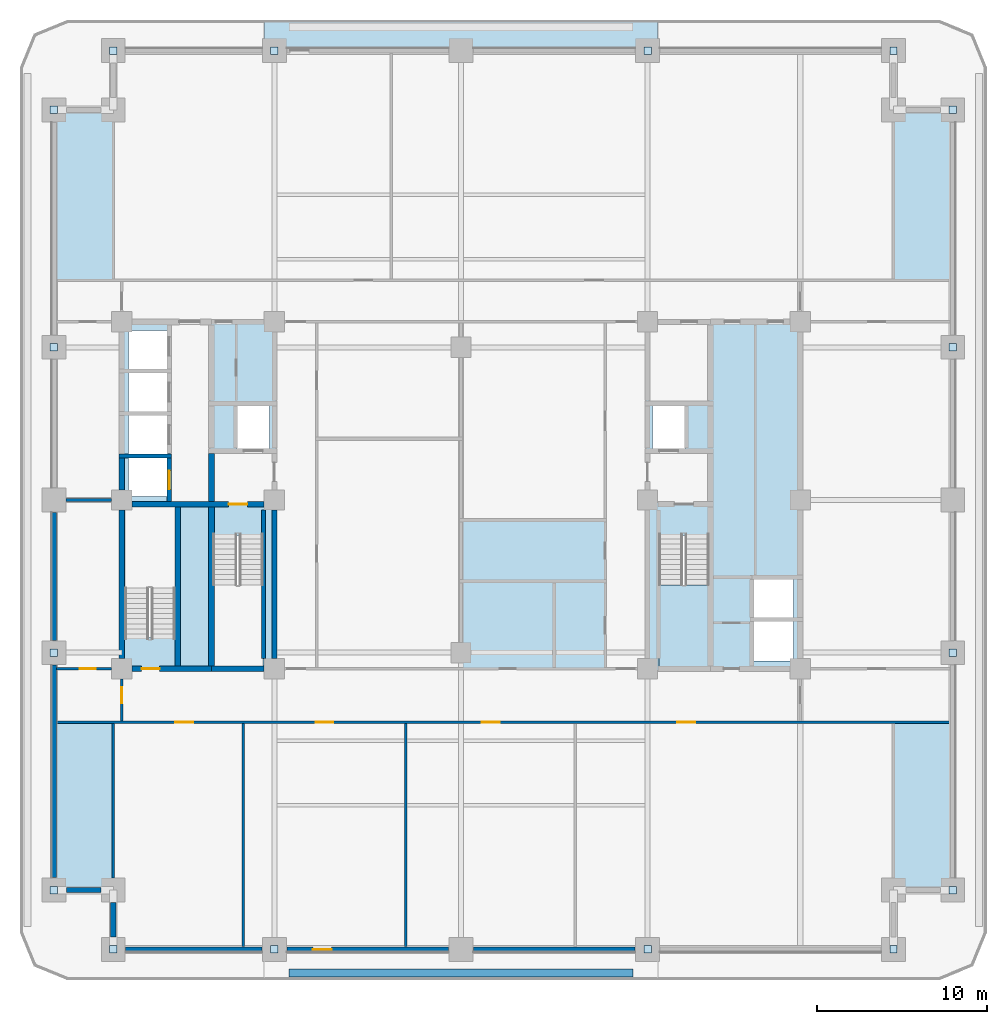
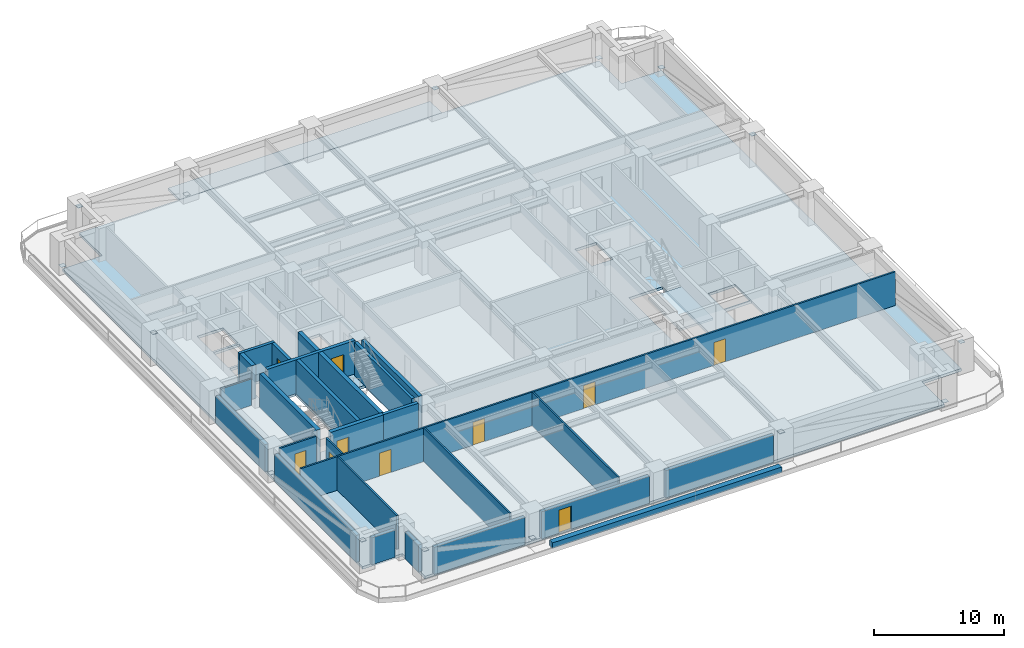
# One storey, part 2 of 12: 27 walls, 16 plates, 10 doors, 3 slabs, 10 openings, 1 element without a shape of its own.
"""IFC4 building model written with IfcOpenShell, lengths in metres."""

import ifcopenshell
import ifcopenshell.guid

model = None  # the IFC model being written
_history = None  # IfcOwnerHistory: only IFC2X3 demands one
_inside = {}  # id of a spatial element -> (the spatial element, [elements in it])
_under = {}  # id of a project, library or spatial element -> (it, [spatial elements below it])
_declared = {}  # id of a project -> (the project, [libraries it declares])
_typed = {}  # id of a type object -> (the type object, [elements of that type])
_made_of = {}  # id of a material, layer set ... -> (it, [elements and type objects made of it])


def new_model(schema):
    """Start an empty IFC model of exactly this schema.

    Asked for "IFC4X3", IfcOpenShell would pick the latest addendum, in which some entities
    have other attributes; the version numbers below select the first issue.
    IFC2X3 requires an IfcOwnerHistory on every rooted entity: one is made here for all.
    """
    global model, _history
    if schema == "IFC4X3":
        model = ifcopenshell.file(schema_version=(4, 3, 0, 0))
    else:
        model = ifcopenshell.file(schema=schema)
    _inside.clear()
    _under.clear()
    _declared.clear()
    _typed.clear()
    _made_of.clear()
    _history = None
    if model.schema == "IFC2X3":
        org = make("IfcOrganization", Name="unknown")
        user = make(
            "IfcPersonAndOrganization",
            ThePerson=make("IfcPerson", FamilyName="unknown"),
            TheOrganization=org,
        )
        app = make(
            "IfcApplication",
            ApplicationDeveloper=org,
            Version="unknown",
            ApplicationFullName="unknown",
            ApplicationIdentifier="unknown",
        )
        _history = make(
            "IfcOwnerHistory",
            OwningUser=user,
            OwningApplication=app,
            ChangeAction="ADDED",
            CreationDate=0,
        )
    return model


def make(cls, **values):
    """One entity of the class cls with the attributes given. An attribute that is None is left unset."""
    return model.create_entity(
        cls, **{name: value for name, value in values.items() if value is not None}
    )


def rooted(cls, **values):
    """An entity with a GlobalId (a new one), such as an element, a storey or a relation."""
    return make(cls, GlobalId=ifcopenshell.guid.new(), OwnerHistory=_history, **values)


def si_unit(unit_type, name, prefix=None):
    """IfcSIUnit, for example si_unit("LENGTHUNIT", "METRE", prefix="MILLI")."""
    return make("IfcSIUnit", UnitType=unit_type, Prefix=prefix, Name=name)


def assignment(units):
    """IfcUnitAssignment: the units of a project."""
    return None if units is None else make("IfcUnitAssignment", Units=units)


def point(xyz):
    """IfcCartesianPoint."""
    return None if xyz is None else make("IfcCartesianPoint", Coordinates=xyz)


def direction(xyz):
    """IfcDirection."""
    return None if xyz is None else make("IfcDirection", DirectionRatios=xyz)


def frame(location, z_axis=None, x_axis=None):
    """IfcAxis2Placement3D, a coordinate frame: its origin and axes. An axis left out is left unset."""
    return make(
        "IfcAxis2Placement3D",
        Location=point(location),
        Axis=direction(z_axis),
        RefDirection=direction(x_axis),
    )


def frame_2d(location, x_axis=None):
    """IfcAxis2Placement2D, a coordinate frame in the plane: its origin and x axis."""
    return make(
        "IfcAxis2Placement2D", Location=point(location), RefDirection=direction(x_axis)
    )


def origin():
    """The frame at (0, 0, 0) with its axes left unset."""
    return frame((0.0, 0.0, 0.0))


def origin_2d():
    """The frame at (0, 0) in the plane with its x axis left unset."""
    return frame_2d((0.0, 0.0))


def place(relative_to, where):
    """IfcLocalPlacement: puts the frame where relative to a parent placement (None: the world)."""
    return make(
        "IfcLocalPlacement", PlacementRelTo=relative_to, RelativePlacement=where
    )


def context(
    kind, dimensions, precision=None, world=None, true_north=None, identifier=None
):
    """IfcGeometricRepresentationContext, for example the 3D "Model" context."""
    return make(
        "IfcGeometricRepresentationContext",
        ContextIdentifier=identifier,
        ContextType=kind,
        CoordinateSpaceDimension=dimensions,
        Precision=precision,
        WorldCoordinateSystem=world,
        TrueNorth=true_north,
    )


def subcontext(parent, identifier, kind, view, scale=None):
    """IfcGeometricRepresentationSubContext, for example "Body" below "Model"."""
    return make(
        "IfcGeometricRepresentationSubContext",
        ContextIdentifier=identifier,
        ContextType=kind,
        ParentContext=parent,
        TargetScale=scale,
        TargetView=view,
    )


def project(units=None, contexts=None):
    """IfcProject with its units and contexts."""
    return rooted(
        "IfcProject",
        Name="project",
        RepresentationContexts=contexts,
        UnitsInContext=assignment(units),
    )


def spatial(cls, under=None, at=None, **own):
    """A site, building, storey or space (cls), placed at a placement, below another one or the project."""
    s = rooted(cls, ObjectPlacement=at, **own)
    if under is not None:
        _under.setdefault(under.id(), (under, []))[1].append(s)
    return s


def polyline(points):
    """IfcPolyline through the points."""
    return make("IfcPolyline", Points=[point(p) for p in points])


def profile(cls, at=None, kind="AREA", **sizes):
    """A parametric profile (cls). Its sizes go by their IFC names, for example OverallWidth=200.0."""
    return make(cls, ProfileType=kind, Position=at, **sizes)


def rectangle(**sizes):
    """IfcRectangleProfileDef."""
    return profile("IfcRectangleProfileDef", **sizes)


def outline(outer, holes=None, kind="AREA"):
    """IfcArbitraryClosedProfileDef: a profile drawn as a closed curve; with holes, ...WithVoids."""
    if holes is None:
        return make("IfcArbitraryClosedProfileDef", ProfileType=kind, OuterCurve=outer)
    return make(
        "IfcArbitraryProfileDefWithVoids",
        ProfileType=kind,
        OuterCurve=outer,
        InnerCurves=holes,
    )


def extrude(swept, where, along, depth):
    """IfcExtrudedAreaSolid: the profile swept, set in the frame where, extruded along a direction by depth."""
    return make(
        "IfcExtrudedAreaSolid",
        SweptArea=swept,
        Position=where,
        ExtrudedDirection=direction(along),
        Depth=depth,
    )


def shape(context_of_items, identifier, shape_type, items):
    """IfcShapeRepresentation: the items that make up one representation, for example the "Body"."""
    return make(
        "IfcShapeRepresentation",
        ContextOfItems=context_of_items,
        RepresentationIdentifier=identifier,
        RepresentationType=shape_type,
        Items=items,
    )


def material(Name=None, Category=None):
    """IfcMaterial."""
    return make("IfcMaterial", Name=Name, Category=Category)


def layer(
    of_material, thickness, ventilated=None, Name=None, Category=None, Priority=None
):
    """IfcMaterialLayer: one layer of a wall or slab, of a material (None: an air gap)."""
    return make(
        "IfcMaterialLayer",
        Material=of_material,
        LayerThickness=thickness,
        IsVentilated=ventilated,
        Name=Name,
        Category=Category,
        Priority=Priority,
    )


def layer_set(layers, Name=None):
    """IfcMaterialLayerSet."""
    return make("IfcMaterialLayerSet", MaterialLayers=layers, LayerSetName=Name)


def made_of(thing, what):
    """Note that an element or type object is made of a material, layer set ...; save() writes the relation."""
    if what is not None:
        _made_of.setdefault(what.id(), (what, []))[1].append(thing)
    return thing


def type_object(cls, material=None, **own):
    """A type object (cls), such as IfcWallType, which elements share."""
    return made_of(rooted(cls, **own), material)


def element(
    cls,
    number,
    at=None,
    inside=None,
    cuts=None,
    type_object=None,
    material=None,
    context=None,
    identifier="Body",
    shape_type=None,
    held_by="IfcProductDefinitionShape",
    body=None,
    shapes=None,
    **own,
):
    """One element of the class cls, such as IfcWall. Its Tag is "e" and its number.

    at: its placement. inside: the storey or other place that contains it. cuts: it is an
    opening in that element (IfcRelVoidsElement). A single representation is given by context,
    identifier, shape_type and body (its items); several are given by shapes. held_by: the class
    of the entity that holds the representations. save() writes the other relations.
    """
    e = rooted(cls, Tag="e%d" % number, ObjectPlacement=at, **own)
    if body is not None:
        shapes = [shape(context, identifier, shape_type, body)]
    if shapes is not None:
        e.Representation = make(held_by, Representations=shapes)
    if inside is not None:
        _inside.setdefault(inside.id(), (inside, []))[1].append(e)
    if cuts is not None:
        rooted(
            "IfcRelVoidsElement", RelatingBuildingElement=cuts, RelatedOpeningElement=e
        )
    if type_object is not None:
        _typed.setdefault(type_object.id(), (type_object, []))[1].append(e)
    return made_of(e, material)


def fill(opening, filler):
    """IfcRelFillsElement: the door or window that sits in an opening."""
    return rooted(
        "IfcRelFillsElement",
        RelatingOpeningElement=opening,
        RelatedBuildingElement=filler,
    )


def aggregate(whole, parts):
    """IfcRelAggregates: a whole, such as a stair, and the parts it consists of."""
    return rooted("IfcRelAggregates", RelatingObject=whole, RelatedObjects=parts)


def save(model, path):
    """Write the relations noted so far, then the file.

    IfcRelAggregates (storeys below a building ...), IfcRelContainedInSpatialStructure (elements
    in a storey), IfcRelDefinesByType, IfcRelAssociatesMaterial and IfcRelDeclares: one each for
    every whole, place, type object, material and project.
    """
    for whole, parts in _under.values():
        aggregate(whole, parts)
    for where, things in _inside.values():
        rooted(
            "IfcRelContainedInSpatialStructure",
            RelatedElements=things,
            RelatingStructure=where,
        )
    for kind, things in _typed.values():
        rooted("IfcRelDefinesByType", RelatedObjects=things, RelatingType=kind)
    for what, things in _made_of.values():
        rooted("IfcRelAssociatesMaterial", RelatedObjects=things, RelatingMaterial=what)
    for by, libraries in _declared.values():
        rooted("IfcRelDeclares", RelatingContext=by, RelatedDefinitions=libraries)
    model.write(path)


model = new_model("IFC4")

# Units and contexts
model_context = context("Model", 3, precision=1e-05, world=origin(), true_north=direction((0.0, 1.0)))
body_context = subcontext(model_context, "Body", "Model", "MODEL_VIEW")
ifc_project = project(units=[si_unit("LENGTHUNIT", "METRE"), si_unit("AREAUNIT", "SQUARE_METRE"), si_unit("VOLUMEUNIT", "CUBIC_METRE"), si_unit("PLANEANGLEUNIT", "RADIAN"), si_unit("MASSUNIT", "GRAM", prefix="KILO")], contexts=[model_context])

# Site, building, storey
site_placement = place(None, origin())
site = spatial("IfcSite", under=ifc_project, at=site_placement, CompositionType="ELEMENT")
building_placement = place(site_placement, origin())
building = spatial("IfcBuilding", under=site, at=building_placement, Name="Zulmaris Gate Convention Tower", CompositionType="ELEMENT")
storey_placement = place(building_placement, frame((0.0, 0.0, 48.6201171875)))
storey = spatial("IfcBuildingStorey", under=building, at=storey_placement, Name="L11", CompositionType="ELEMENT", Elevation=48.6201171875)

# Plates
ifc_material_1 = material(Name="Steel S460", Category="steel")
ifc_layer_1 = layer(ifc_material_1, 0.02490234375, Name="Steel S460")
ifc_layer_set_1 = layer_set([ifc_layer_1], Name="Steel S460")
plate_type = type_object("IfcPlateType", Name="NP-CAP-440", PredefinedType="USERDEFINED", material=ifc_layer_set_1)
for number, where, z_axis, x_axis, name in (
    (1, (-24.0, -9.0, 0.28759765625), (0.0, 0.0, 1.0), (1.0, 0.0, 0.0), "L11 Steel Node Plate PBR-L11-SW-W-CAP"),
    (2, (-24.0, -23.0, 2.512451171875), (0.0, 0.0, 1.0), (1.0, 0.0, 0.0), "L11 Steel Node Plate PBR-L11-SW-W-CAPB"),
    (3, (-24.0, 23.0, 0.28759765625), (0.0, 0.0, 1.0), (1.0, 0.0, 0.0), "L11 Steel Node Plate PBR-L11-NW-W-CAP"),
    (4, (-24.0, 9.0, 2.512451171875), (0.0, 0.0, 1.0), (1.0, 0.0, 0.0), "L11 Steel Node Plate PBR-L11-NW-W-CAPB"),
    (5, (29.0, -9.0, 0.28759765625), (0.0, 0.0, 1.0), (1.0, 0.0, 0.0), "L11 Steel Node Plate PBR-L11-SE-E-CAP"),
    (6, (29.0, -23.0, 2.512451171875), (0.0, 0.0, 1.0), (1.0, 0.0, 0.0), "L11 Steel Node Plate PBR-L11-SE-E-CAPB"),
    (7, (29.0, 23.0, 0.28759765625), (0.0, 0.0, 1.0), (1.0, 0.0, 0.0), "L11 Steel Node Plate PBR-L11-NE-E-CAP"),
    (8, (29.0, 9.0, 2.512451171875), (0.0, 0.0, 1.0), (1.0, 0.0, 0.0), "L11 Steel Node Plate PBR-L11-NE-E-CAPB"),
    (9, (-11.0, -26.5, 0.28759765625), (0.0, 0.0, 1.0), (1.0, 0.0, 0.0), "L11 Steel Node Plate PBR-L11-SW-S-CAP"),
    (10, (-20.5, -26.5, 2.512451171875), (0.0, 0.0, 1.0), (1.0, 0.0, 0.0), "L11 Steel Node Plate PBR-L11-SW-S-CAPB"),
    (11, (25.5, -26.5, 0.28759765625), (0.0, 0.0, 1.0), (1.0, 0.0, 0.0), "L11 Steel Node Plate PBR-L11-SE-S-CAP"),
    (12, (11.0, -26.5, 2.512451171875), (0.0, 0.0, 1.0), (1.0, 0.0, 0.0), "L11 Steel Node Plate PBR-L11-SE-S-CAPB"),
    (13, (-11.0, 26.5, 0.28759765625), (0.0, 0.0, 1.0), (1.0, 0.0, 0.0), "L11 Steel Node Plate PBR-L11-NW-N-CAP"),
    (14, (-20.5, 26.5, 2.512451171875), (0.0, 0.0, 1.0), (1.0, 0.0, 0.0), "L11 Steel Node Plate PBR-L11-NW-N-CAPB"),
    (15, (25.5, 26.5, 0.28759765625), (0.0, 0.0, 1.0), (1.0, 0.0, 0.0), "L11 Steel Node Plate PBR-L11-NE-N-CAP"),
    (16, (11.0, 26.5, 2.512451171875), (0.0, 0.0, 1.0), (1.0, 0.0, 0.0), "L11 Steel Node Plate PBR-L11-NE-N-CAPB"),
):
    element("IfcPlate", number, at=place(storey_placement, frame(where, z_axis=z_axis, x_axis=x_axis)), inside=storey, type_object=plate_type, Name=name, ObjectType="FLANGE PLATE", PredefinedType="USERDEFINED", context=body_context, shape_type="SweptSolid", body=[
        extrude(rectangle(XDim=0.43994140625, YDim=0.43994140625, at=origin_2d()), origin(), (0.0, 0.0, 1.0), 0.02490234375),
    ])

# Slabs
ifc_material_2 = material(Name="Precast concrete C50/60", Category="concrete")
ifc_layer_2 = layer(ifc_material_2, 0.239990234375, Name="Precast concrete C50/60")
ifc_layer_set_2 = layer_set([ifc_layer_2], Name="Precast concrete C50/60")
slab_type_1 = type_object("IfcSlabType", Name="SL-BAL-240", PredefinedType="FLOOR", material=ifc_layer_set_2)
slab_1_placement = place(storey_placement, frame((0.0, 0.0, -0.25)))
element("IfcSlab", 17, at=slab_1_placement, inside=storey, type_object=slab_type_1, Name="L11 North Tree-Balcony Planter Slab", PredefinedType="FLOOR", context=body_context, shape_type="SweptSolid", body=[
    extrude(outline(polyline([(11.597900390625, 28.300048828125), (11.597900390625, 26.5), (-11.597900390625, 26.5), (-11.597900390625, 28.300048828125), (11.597900390625, 28.300048828125)])), origin(), (0.0, 0.0, 1.0), 0.239990234375),
])
ifc_material_3 = material(Name="Concrete C50/60", Category="concrete")
ifc_layer_3 = layer(ifc_material_3, 0.25, Name="Concrete C50/60")
ifc_layer_set_3 = layer_set([ifc_layer_3], Name="Concrete C50/60")
slab_type_2 = type_object("IfcSlabType", Name="SL-FLR-250", PredefinedType="FLOOR", material=ifc_layer_set_3)
slab_2_placement = place(storey_placement, frame((0.0, 0.0, -0.25)))
element("IfcSlab", 18, at=slab_2_placement, inside=storey, type_object=slab_type_2, Name="L11 Shifted Notched-Square Structural Floor Slab", PredefinedType="FLOOR", context=body_context, shape_type="SweptSolid", body=[
    extrude(outline(polyline([(-20.5, -26.5), (25.5, -26.5), (25.5, -23.0), (29.0, -23.0), (29.0, 23.0), (25.5, 23.0), (25.5, 26.5), (-20.5, 26.5), (-20.5, 23.0), (-24.0, 23.0), (-24.0, -23.0), (-20.5, -23.0), (-20.5, -26.5)]), holes=[polyline([(-14.6201171875, -2.080078125), (-14.6201171875, -9.85009765625), (-11.659912109375, -9.85009765625), (-11.659912109375, -2.080078125), (-14.6201171875, -2.080078125)]), polyline([(11.659912109375, -2.080078125), (11.659912109375, -9.85009765625), (14.6201171875, -9.85009765625), (14.6201171875, -2.080078125), (11.659912109375, -2.080078125)]), polyline([(-16.860107421875, -8.1201171875), (-16.860107421875, -0.35009765625), (-19.820068359375, -0.35009765625), (-19.820068359375, -8.1201171875), (-16.860107421875, -8.1201171875)]), polyline([(-13.199951171875, 3.0), (-11.300048828125, 3.0), (-11.300048828125, 5.60009765625), (-13.199951171875, 5.60009765625), (-13.199951171875, 3.0)]), polyline([(11.300048828125, 3.0), (13.199951171875, 3.0), (13.199951171875, 5.60009765625), (11.300048828125, 5.60009765625), (11.300048828125, 3.0)]), polyline([(-19.60009765625, 0.199951171875), (-17.300048828125, 0.199951171875), (-17.300048828125, 2.5), (-19.60009765625, 2.5), (-19.60009765625, 0.199951171875)]), polyline([(-19.60009765625, 2.699951171875), (-17.300048828125, 2.699951171875), (-17.300048828125, 5.0), (-19.60009765625, 5.0), (-19.60009765625, 2.699951171875)]), polyline([(-19.60009765625, 5.199951171875), (-17.300048828125, 5.199951171875), (-17.300048828125, 7.5), (-19.60009765625, 7.5), (-19.60009765625, 5.199951171875)]), polyline([(-19.60009765625, 7.699951171875), (-17.300048828125, 7.699951171875), (-17.300048828125, 10.0), (-19.60009765625, 10.0), (-19.60009765625, 7.699951171875)]), polyline([(17.199951171875, -9.5), (19.60009765625, -9.5), (19.60009765625, -7.10009765625), (17.199951171875, -7.10009765625), (17.199951171875, -9.5)]), polyline([(17.199951171875, -7.0), (19.60009765625, -7.0), (19.60009765625, -4.60009765625), (17.199951171875, -4.60009765625), (17.199951171875, -7.0)])]), origin(), (0.0, 0.0, 1.0), 0.25),
])

# Stair, slab
ifc_material_4 = material(Name="Concrete C45/55", Category="concrete")
stair_type = type_object("IfcStairType", Name="ST-CORE-DOGLEG", PredefinedType="HALF_TURN_STAIR", material=ifc_material_4)
stair_placement = place(storey_placement, origin())
stair = element("IfcStair", 19, at=stair_placement, inside=storey, type_object=stair_type, Name="L11 Core Exit Stair ST-2", PredefinedType="HALF_TURN_STAIR")
ifc_layer_4 = layer(ifc_material_4, 0.199951171875, Name="Concrete C45/55")
ifc_layer_set_4 = layer_set([ifc_layer_4], Name="Concrete C45/55")
slab_type_3 = type_object("IfcSlabType", Name="SL-LND-200", PredefinedType="LANDING", material=ifc_layer_set_4)
slab_3_placement = place(storey_placement, frame((0.0, 0.0, 1.5849609375)))
slab_3 = element("IfcSlab", 20, at=slab_3_placement, type_object=slab_type_3, Name="ST-2 landing 1", PredefinedType="LANDING", context=body_context, shape_type="SweptSolid", body=[
    extrude(outline(polyline([(11.659912109375, -5.0), (11.659912109375, -9.85009765625), (14.6201171875, -9.85009765625), (14.6201171875, -5.0), (11.659912109375, -5.0)])), origin(), (0.0, 0.0, 1.0), 0.199951171875),
])
aggregate(stair, [slab_3])

# Wall
ifc_layer_5 = layer(ifc_material_3, 0.25, Name="Concrete C50/60")
ifc_layer_set_5 = layer_set([ifc_layer_5], Name="Concrete C50/60")
wall_type_1 = type_object("IfcWallType", Name="CORE-250", PredefinedType="SOLIDWALL", material=ifc_layer_set_5)
wall_1_placement = place(storey_placement, frame((-20.175048828125, 2.60009765625, 0.0), z_axis=(0.0, 0.0, 1.0), x_axis=(1.0, 0.0, 0.0)))
element("IfcWall", 21, at=wall_1_placement, inside=storey, type_object=wall_type_1, Name="WL-L11-009", PredefinedType="SOLIDWALL", context=body_context, shape_type="SweptSolid", body=[
    extrude(rectangle(XDim=3.10009765625, YDim=0.25, at=frame_2d((1.550048828125, 0.0))), origin(), (0.0, 0.0, 1.0), 3.144775390625),
])

# Wall, opening, door
wall_2_placement = place(storey_placement, frame((-17.199951171875, -0.097900390625, 0.0), z_axis=(0.0, 0.0, 1.0), x_axis=(0.0, 1.0, 0.0)))
wall_2 = element("IfcWall", 22, at=wall_2_placement, inside=storey, type_object=wall_type_1, Name="WL-L11-039", PredefinedType="SOLIDWALL", context=body_context, shape_type="SweptSolid", body=[
    extrude(rectangle(XDim=2.57080078125, YDim=0.25, at=frame_2d((1.285400390625, 0.0))), origin(), (0.0, 0.0, 1.0), 3.144775390625),
])
opening_1_placement = place(wall_2_placement, frame((0.722900390625, 0.0, 0.0)))
opening_1 = element("IfcOpeningElement", 23, at=opening_1_placement, cuts=wall_2, Name="Opening D-06", PredefinedType="OPENING", context=body_context, shape_type="SweptSolid", body=[
    extrude(rectangle(XDim=1.10009765625, YDim=2.199951171875, at=frame_2d((0.550048828125, 1.10009765625))), frame((0.0, 0.135009765625, 0.0), z_axis=(0.0, -1.0, 0.0), x_axis=(1.0, 0.0, 0.0)), (0.0, 0.0, 1.0), 0.27001953125),
])
ifc_material_5 = material(Name="Brushed Stainless Steel", Category="steel")
door_type_1 = type_object("IfcDoorType", Name="LD-1100", OperationType="NOTDEFINED", PredefinedType="DOOR", material=ifc_material_5)
door_1_placement = place(opening_1_placement, origin())
door_1 = element("IfcDoor", 24, at=door_1_placement, inside=storey, type_object=door_type_1, Name="L11 Lift Landing Door LP-01 12", OperationType="SLIDING_TO_LEFT", OverallHeight=2.199951171875, OverallWidth=1.10009765625, PredefinedType="DOOR", context=body_context, shape_type="SweptSolid", body=[
    extrude(rectangle(XDim=1.10009765625, YDim=2.199951171875, at=frame_2d((0.550048828125, 1.10009765625))), frame((0.0, 0.02490234375, 0.0), z_axis=(0.0, -1.0, 0.0), x_axis=(1.0, 0.0, 0.0)), (0.0, 0.0, 1.0), 0.050048828125),
])
fill(opening_1, door_1)

# Walls
wall_3_placement = place(storey_placement, frame((-11.64990234375, -9.345947265625, 0.0), z_axis=(0.0, 0.0, 1.0), x_axis=(0.0, 1.0, 0.0)))
element("IfcWall", 25, at=wall_3_placement, inside=storey, type_object=wall_type_1, Name="WL-L11-049", PredefinedType="SOLIDWALL", context=body_context, shape_type="SweptSolid", body=[
    extrude(rectangle(XDim=8.741943359375, YDim=0.25, at=frame_2d((4.37109375, 0.0))), origin(), (0.0, 0.0, 1.0), 3.144775390625),
])
ifc_layer_6 = layer(ifc_material_3, 0.300048828125, Name="Concrete C50/60")
ifc_layer_set_6 = layer_set([ifc_layer_6], Name="Concrete C50/60")
wall_type_2 = type_object("IfcWallType", Name="CORE-300", PredefinedType="SHEAR", material=ifc_layer_set_6)
wall_4_placement = place(storey_placement, frame((-14.699951171875, -9.949951171875, 0.0), z_axis=(0.0, 0.0, 1.0), x_axis=(1.0, 0.0, 0.0)))
element("IfcWall", 26, at=wall_4_placement, inside=storey, type_object=wall_type_2, Name="WL-L11-002", PredefinedType="SHEAR", context=body_context, shape_type="SweptSolid", body=[
    extrude(rectangle(XDim=3.095947265625, YDim=0.300048828125, at=frame_2d((1.5478515625, 0.0))), origin(), (0.0, 0.0, 1.0), 3.144775390625),
])

# Wall, opening, door
wall_5_placement = place(storey_placement, frame((-19.39599609375, -0.25, 0.0), z_axis=(0.0, 0.0, 1.0), x_axis=(1.0, 0.0, 0.0)))
wall_5 = element("IfcWall", 27, at=wall_5_placement, inside=storey, type_object=wall_type_2, Name="WL-L11-007", PredefinedType="SHEAR", context=body_context, shape_type="SweptSolid", body=[
    extrude(rectangle(XDim=7.7919921875, YDim=0.300048828125, at=frame_2d((3.89599609375, 0.0))), origin(), (0.0, 0.0, 1.0), 3.144775390625),
])
opening_2_placement = place(wall_5_placement, frame((5.696044921875, 0.0, 0.0)))
opening_2 = element("IfcOpeningElement", 28, at=opening_2_placement, cuts=wall_5, Name="Opening D-08", PredefinedType="OPENING", context=body_context, shape_type="SweptSolid", body=[
    extrude(rectangle(XDim=1.10009765625, YDim=2.14990234375, at=frame_2d((0.550048828125, 1.074951171875))), frame((0.0, 0.16015625, 0.0), z_axis=(0.0, -1.0, 0.0), x_axis=(1.0, 0.0, 0.0)), (0.0, 0.0, 1.0), 0.320068359375),
])
ifc_material_6 = material(Name="Fire-Rated Steel", Category="steel")
door_type_2 = type_object("IfcDoorType", Name="DR-1100-FD", OperationType="NOTDEFINED", PredefinedType="DOOR", material=ifc_material_6)
door_2_placement = place(opening_2_placement, origin())
door_2 = element("IfcDoor", 29, at=door_2_placement, inside=storey, type_object=door_type_2, Name="L11 Exit Stair ST-1 Door 01", OperationType="SINGLE_SWING_RIGHT", OverallHeight=2.14990234375, OverallWidth=1.10009765625, PredefinedType="DOOR", context=body_context, shape_type="SweptSolid", body=[
    extrude(rectangle(XDim=1.10009765625, YDim=2.14990234375, at=frame_2d((0.550048828125, 1.074951171875))), frame((0.0, 0.02490234375, 0.0), z_axis=(0.0, -1.0, 0.0), x_axis=(1.0, 0.0, 0.0)), (0.0, 0.0, 1.0), 0.050048828125),
])
fill(opening_2, door_2)

# Walls
wall_6_placement = place(storey_placement, frame((-16.699951171875, -9.77294921875, 0.0), z_axis=(0.0, 0.0, 1.0), x_axis=(0.0, 1.0, 0.0)))
element("IfcWall", 30, at=wall_6_placement, inside=storey, type_object=wall_type_2, Name="WL-L11-043", PredefinedType="SHEAR", context=body_context, shape_type="SweptSolid", body=[
    extrude(rectangle(XDim=9.370849609375, YDim=0.300048828125, at=frame_2d((4.685546875, 0.0))), origin(), (0.0, 0.0, 1.0), 3.144775390625),
])
wall_7_placement = place(storey_placement, frame((-11.0, -9.345947265625, 0.0), z_axis=(0.0, 0.0, 1.0), x_axis=(0.0, 1.0, 0.0)))
element("IfcWall", 31, at=wall_7_placement, inside=storey, type_object=wall_type_2, Name="WL-L11-050", PredefinedType="SHEAR", context=body_context, shape_type="SweptSolid", body=[
    extrude(rectangle(XDim=8.741943359375, YDim=0.300048828125, at=frame_2d((4.37109375, 0.0))), origin(), (0.0, 0.0, 1.0), 3.144775390625),
])

# Wall, opening, door
ifc_material_7 = material(Name="Concrete C55/67", Category="concrete")
ifc_layer_7 = layer(ifc_material_7, 0.35009765625, Name="Concrete C55/67")
ifc_layer_set_7 = layer_set([ifc_layer_7], Name="Concrete C55/67")
wall_type_3 = type_object("IfcWallType", Name="CORE-350", PredefinedType="SHEAR", material=ifc_layer_set_7)
wall_8_placement = place(storey_placement, frame((-19.39599609375, -9.949951171875, 0.0), z_axis=(0.0, 0.0, 1.0), x_axis=(1.0, 0.0, 0.0)))
wall_8 = element("IfcWall", 32, at=wall_8_placement, inside=storey, type_object=wall_type_3, Name="WL-L11-001", PredefinedType="SHEAR", context=body_context, shape_type="SweptSolid", body=[
    extrude(rectangle(XDim=4.696044921875, YDim=0.35009765625, at=frame_2d((2.34814453125, 0.0))), origin(), (0.0, 0.0, 1.0), 3.144775390625),
])
opening_3_placement = place(wall_8_placement, frame((0.571044921875, 0.0, 0.0)))
opening_3 = element("IfcOpeningElement", 33, at=opening_3_placement, cuts=wall_8, Name="Opening D-09", PredefinedType="OPENING", context=body_context, shape_type="SweptSolid", body=[
    extrude(rectangle(XDim=1.050048828125, YDim=2.14990234375, at=frame_2d((0.52490234375, 1.074951171875))), frame((0.0, 0.18505859375, 0.0), z_axis=(0.0, -1.0, 0.0), x_axis=(1.0, 0.0, 0.0)), (0.0, 0.0, 1.0), 0.3701171875),
])
door_type_3 = type_object("IfcDoorType", Name="DR-1050-FD", OperationType="NOTDEFINED", PredefinedType="DOOR", material=ifc_material_6)
door_3_placement = place(opening_3_placement, origin())
door_3 = element("IfcDoor", 34, at=door_3_placement, inside=storey, type_object=door_type_3, Name="L11 Exit Stair ST-3 Door 10", OperationType="SINGLE_SWING_LEFT", OverallHeight=2.14990234375, OverallWidth=1.050048828125, PredefinedType="DOOR", context=body_context, shape_type="SweptSolid", body=[
    extrude(rectangle(XDim=1.050048828125, YDim=2.14990234375, at=frame_2d((0.52490234375, 1.074951171875))), frame((0.0, 0.02490234375, 0.0), z_axis=(0.0, -1.0, 0.0), x_axis=(1.0, 0.0, 0.0)), (0.0, 0.0, 1.0), 0.050048828125),
])
fill(opening_3, door_3)

# Walls
wall_9_placement = place(storey_placement, frame((-20.0, -9.345947265625, 0.0), z_axis=(0.0, 0.0, 1.0), x_axis=(0.0, 1.0, 0.0)))
element("IfcWall", 35, at=wall_9_placement, inside=storey, type_object=wall_type_3, Name="WL-L11-034", PredefinedType="SHEAR", context=body_context, shape_type="SweptSolid", body=[
    extrude(rectangle(XDim=8.741943359375, YDim=0.35009765625, at=frame_2d((4.37109375, 0.0))), origin(), (0.0, 0.0, 1.0), 3.144775390625),
])
wall_10_placement = place(storey_placement, frame((-20.0, 0.60400390625, 0.0), z_axis=(0.0, 0.0, 1.0), x_axis=(0.0, 1.0, 0.0)))
element("IfcWall", 36, at=wall_10_placement, inside=storey, type_object=wall_type_3, Name="WL-L11-035", PredefinedType="SHEAR", context=body_context, shape_type="SweptSolid", body=[
    extrude(rectangle(XDim=1.868896484375, YDim=0.35009765625, at=frame_2d((0.9345703125, 0.0))), origin(), (0.0, 0.0, 1.0), 3.144775390625),
])
wall_11_placement = place(storey_placement, frame((-14.699951171875, -9.77294921875, 0.0), z_axis=(0.0, 0.0, 1.0), x_axis=(0.0, 1.0, 0.0)))
element("IfcWall", 37, at=wall_11_placement, inside=storey, type_object=wall_type_3, Name="WL-L11-044", PredefinedType="SHEAR", context=body_context, shape_type="SweptSolid", body=[
    extrude(rectangle(XDim=9.370849609375, YDim=0.35009765625, at=frame_2d((4.685546875, 0.0))), origin(), (0.0, 0.0, 1.0), 3.144775390625),
])
wall_12_placement = place(storey_placement, frame((-14.699951171875, -0.097900390625, 0.0), z_axis=(0.0, 0.0, 1.0), x_axis=(0.0, 1.0, 0.0)))
element("IfcWall", 38, at=wall_12_placement, inside=storey, type_object=wall_type_3, Name="WL-L11-045", PredefinedType="SHEAR", context=body_context, shape_type="SweptSolid", body=[
    extrude(rectangle(XDim=2.845947265625, YDim=0.35009765625, at=frame_2d((1.4228515625, 0.0))), origin(), (0.0, 0.0, 1.0), 3.144775390625),
])

# Wall, openings, doors
ifc_material_8 = material(Name="Gypsum Metal Stud Partition")
ifc_layer_8 = layer(ifc_material_8, 0.14990234375, Name="Gypsum Metal Stud Partition")
ifc_layer_set_8 = layer_set([ifc_layer_8], Name="Gypsum Metal Stud Partition")
wall_type_4 = type_object("IfcWallType", Name="PART-150", PredefinedType="PARTITIONING", material=ifc_layer_set_8)
wall_13_placement = place(storey_placement, frame((-23.8349609375, -13.10009765625, 0.0), z_axis=(0.0, 0.0, 1.0), x_axis=(1.0, 0.0, 0.0)))
wall_13 = element("IfcWall", 39, at=wall_13_placement, inside=storey, type_object=wall_type_4, Name="WL-L11-020", PredefinedType="PARTITIONING", context=body_context, shape_type="SweptSolid", body=[
    extrude(rectangle(XDim=52.669921875, YDim=0.14990234375, at=frame_2d((26.3349609375, 0.0))), origin(), (0.0, 0.0, 1.0), 3.144775390625),
])
opening_4_placement = place(wall_13_placement, frame((6.989990234375, 0.0, 0.0)))
opening_4 = element("IfcOpeningElement", 40, at=opening_4_placement, cuts=wall_13, Name="Opening D-09", PredefinedType="OPENING", context=body_context, shape_type="SweptSolid", body=[
    extrude(rectangle(XDim=1.050048828125, YDim=2.14990234375, at=frame_2d((0.52490234375, 1.074951171875))), frame((0.0, 0.0849609375, 0.0), z_axis=(0.0, -1.0, 0.0), x_axis=(1.0, 0.0, 0.0)), (0.0, 0.0, 1.0), 0.169921875),
])
opening_5_placement = place(wall_13_placement, frame((15.260009765625, 0.0, 0.0)))
opening_5 = element("IfcOpeningElement", 41, at=opening_5_placement, cuts=wall_13, Name="Opening D-09", PredefinedType="OPENING", context=body_context, shape_type="SweptSolid", body=[
    extrude(rectangle(XDim=1.050048828125, YDim=2.14990234375, at=frame_2d((0.52490234375, 1.074951171875))), frame((0.0, 0.0849609375, 0.0), z_axis=(0.0, -1.0, 0.0), x_axis=(1.0, 0.0, 0.0)), (0.0, 0.0, 1.0), 0.169921875),
])
opening_6_placement = place(wall_13_placement, frame((25.06005859375, 0.0, 0.0)))
opening_6 = element("IfcOpeningElement", 42, at=opening_6_placement, cuts=wall_13, Name="Opening D-09", PredefinedType="OPENING", context=body_context, shape_type="SweptSolid", body=[
    extrude(rectangle(XDim=1.050048828125, YDim=2.14990234375, at=frame_2d((0.52490234375, 1.074951171875))), frame((0.0, 0.0849609375, 0.0), z_axis=(0.0, -1.0, 0.0), x_axis=(1.0, 0.0, 0.0)), (0.0, 0.0, 1.0), 0.169921875),
])
opening_7_placement = place(wall_13_placement, frame((36.590087890625, 0.0, 0.0)))
opening_7 = element("IfcOpeningElement", 43, at=opening_7_placement, cuts=wall_13, Name="Opening D-09", PredefinedType="OPENING", context=body_context, shape_type="SweptSolid", body=[
    extrude(rectangle(XDim=1.050048828125, YDim=2.14990234375, at=frame_2d((0.52490234375, 1.074951171875))), frame((0.0, 0.0849609375, 0.0), z_axis=(0.0, -1.0, 0.0), x_axis=(1.0, 0.0, 0.0)), (0.0, 0.0, 1.0), 0.169921875),
])
door_4_placement = place(opening_4_placement, origin())
door_4 = element("IfcDoor", 44, at=door_4_placement, inside=storey, type_object=door_type_3, Name="L11 Delegate Business Lounge Door 26", OperationType="SINGLE_SWING_LEFT", OverallHeight=2.14990234375, OverallWidth=1.050048828125, PredefinedType="DOOR", context=body_context, shape_type="SweptSolid", body=[
    extrude(rectangle(XDim=1.050048828125, YDim=2.14990234375, at=frame_2d((0.52490234375, 1.074951171875))), frame((0.0, 0.02490234375, 0.0), z_axis=(0.0, -1.0, 0.0), x_axis=(1.0, 0.0, 0.0)), (0.0, 0.0, 1.0), 0.050048828125),
])
fill(opening_4, door_4)
door_5_placement = place(opening_5_placement, origin())
door_5 = element("IfcDoor", 45, at=door_5_placement, inside=storey, type_object=door_type_3, Name="L11 Commercial Advisory Office Door 27", OperationType="SINGLE_SWING_RIGHT", OverallHeight=2.14990234375, OverallWidth=1.050048828125, PredefinedType="DOOR", context=body_context, shape_type="SweptSolid", body=[
    extrude(rectangle(XDim=1.050048828125, YDim=2.14990234375, at=frame_2d((0.52490234375, 1.074951171875))), frame((0.0, 0.02490234375, 0.0), z_axis=(0.0, -1.0, 0.0), x_axis=(1.0, 0.0, 0.0)), (0.0, 0.0, 1.0), 0.050048828125),
])
fill(opening_5, door_5)
door_6_placement = place(opening_6_placement, origin())
door_6 = element("IfcDoor", 46, at=door_6_placement, inside=storey, type_object=door_type_3, Name="L11 Regional Corporate Office Door 28", OperationType="SINGLE_SWING_LEFT", OverallHeight=2.14990234375, OverallWidth=1.050048828125, PredefinedType="DOOR", context=body_context, shape_type="SweptSolid", body=[
    extrude(rectangle(XDim=1.050048828125, YDim=2.14990234375, at=frame_2d((0.52490234375, 1.074951171875))), frame((0.0, 0.02490234375, 0.0), z_axis=(0.0, -1.0, 0.0), x_axis=(1.0, 0.0, 0.0)), (0.0, 0.0, 1.0), 0.050048828125),
])
fill(opening_6, door_6)
door_7_placement = place(opening_7_placement, origin())
door_7 = element("IfcDoor", 47, at=door_7_placement, inside=storey, type_object=door_type_3, Name="L11 Client Practice Studio Door 29", OperationType="SINGLE_SWING_RIGHT", OverallHeight=2.14990234375, OverallWidth=1.050048828125, PredefinedType="DOOR", context=body_context, shape_type="SweptSolid", body=[
    extrude(rectangle(XDim=1.050048828125, YDim=2.14990234375, at=frame_2d((0.52490234375, 1.074951171875))), frame((0.0, 0.02490234375, 0.0), z_axis=(0.0, -1.0, 0.0), x_axis=(1.0, 0.0, 0.0)), (0.0, 0.0, 1.0), 0.050048828125),
])
fill(opening_7, door_7)

# Wall, opening, door
wall_14_placement = place(storey_placement, frame((-23.8349609375, -9.949951171875, 0.0), z_axis=(0.0, 0.0, 1.0), x_axis=(1.0, 0.0, 0.0)))
wall_14 = element("IfcWall", 48, at=wall_14_placement, inside=storey, type_object=wall_type_4, Name="WL-L11-021", PredefinedType="PARTITIONING", context=body_context, shape_type="SweptSolid", body=[
    extrude(rectangle(XDim=3.22900390625, YDim=0.14990234375, at=frame_2d((1.614501953125, 0.0))), origin(), (0.0, 0.0, 1.0), 3.144775390625),
])
opening_8_placement = place(wall_14_placement, frame((1.360107421875, 0.0, 0.0)))
opening_8 = element("IfcOpeningElement", 49, at=opening_8_placement, cuts=wall_14, Name="Opening D-11", PredefinedType="OPENING", context=body_context, shape_type="SweptSolid", body=[
    extrude(rectangle(XDim=0.949951171875, YDim=2.14990234375, at=frame_2d((0.47509765625, 1.074951171875))), frame((0.0, 0.0849609375, 0.0), z_axis=(0.0, -1.0, 0.0), x_axis=(1.0, 0.0, 0.0)), (0.0, 0.0, 1.0), 0.169921875),
])
ifc_material_9 = material(Name="Fire-Rated Timber", Category="wood")
door_type_4 = type_object("IfcDoorType", Name="DR-950-FD", OperationType="NOTDEFINED", PredefinedType="DOOR", material=ifc_material_9)
door_8_placement = place(opening_8_placement, origin())
door_8 = element("IfcDoor", 50, at=door_8_placement, inside=storey, type_object=door_type_4, Name="L11 SW Partner Door 39", OperationType="SINGLE_SWING_RIGHT", OverallHeight=2.14990234375, OverallWidth=0.949951171875, PredefinedType="DOOR", context=body_context, shape_type="SweptSolid", body=[
    extrude(rectangle(XDim=0.949951171875, YDim=2.14990234375, at=frame_2d((0.47509765625, 1.074951171875))), frame((0.0, 0.02490234375, 0.0), z_axis=(0.0, -1.0, 0.0), x_axis=(1.0, 0.0, 0.0)), (0.0, 0.0, 1.0), 0.050048828125),
])
fill(opening_8, door_8)

# Walls
wall_15_placement = place(storey_placement, frame((-23.2939453125, 0.0, 0.0), z_axis=(0.0, 0.0, 1.0), x_axis=(1.0, 0.0, 0.0)))
element("IfcWall", 51, at=wall_15_placement, inside=storey, type_object=wall_type_4, Name="WL-L11-028", PredefinedType="PARTITIONING", context=body_context, shape_type="SweptSolid", body=[
    extrude(rectangle(XDim=2.68798828125, YDim=0.14990234375, at=frame_2d((1.343994140625, 0.0))), origin(), (0.0, 0.0, 1.0), 2.48486328125),
])
wall_16_placement = place(storey_placement, frame((-20.5, -22.2939453125, 0.0), z_axis=(0.0, 0.0, 1.0), x_axis=(0.0, 1.0, 0.0)))
element("IfcWall", 52, at=wall_16_placement, inside=storey, type_object=wall_type_4, Name="WL-L11-069", PredefinedType="PARTITIONING", context=body_context, shape_type="SweptSolid", body=[
    extrude(rectangle(XDim=9.115966796875, YDim=0.14990234375, at=frame_2d((4.55810546875, 0.0))), origin(), (0.0, 0.0, 1.0), 3.144775390625),
])

# Wall, opening, door
wall_17_placement = place(storey_placement, frame((-20.0, -13.02197265625, 0.0), z_axis=(0.0, 0.0, 1.0), x_axis=(0.0, 1.0, 0.0)))
wall_17 = element("IfcWall", 53, at=wall_17_placement, inside=storey, type_object=wall_type_4, Name="WL-L11-071", PredefinedType="PARTITIONING", context=body_context, shape_type="SweptSolid", body=[
    extrude(rectangle(XDim=2.466064453125, YDim=0.14990234375, at=frame_2d((1.23291015625, 0.0))), origin(), (0.0, 0.0, 1.0), 3.144775390625),
])
opening_9_placement = place(wall_17_placement, frame((1.027099609375, 0.0, 0.0)))
opening_9 = element("IfcOpeningElement", 54, at=opening_9_placement, cuts=wall_17, Name="Opening D-11", PredefinedType="OPENING", context=body_context, shape_type="SweptSolid", body=[
    extrude(rectangle(XDim=0.949951171875, YDim=2.14990234375, at=frame_2d((0.47509765625, 1.074951171875))), frame((0.0, 0.0849609375, 0.0), z_axis=(0.0, -1.0, 0.0), x_axis=(1.0, 0.0, 0.0)), (0.0, 0.0, 1.0), 0.169921875),
])
door_9_placement = place(opening_9_placement, origin())
door_9 = element("IfcDoor", 55, at=door_9_placement, inside=storey, type_object=door_type_4, Name="L11 SW Spur Door 37", OperationType="SINGLE_SWING_RIGHT", OverallHeight=2.14990234375, OverallWidth=0.949951171875, PredefinedType="DOOR", context=body_context, shape_type="SweptSolid", body=[
    extrude(rectangle(XDim=0.949951171875, YDim=2.14990234375, at=frame_2d((0.47509765625, 1.074951171875))), frame((0.0, 0.02490234375, 0.0), z_axis=(0.0, -1.0, 0.0), x_axis=(1.0, 0.0, 0.0)), (0.0, 0.0, 1.0), 0.050048828125),
])
fill(opening_9, door_9)

# Walls
for number, where, z_axis, x_axis, name in (
    (56, (-12.85009765625, -26.3349609375, 0.0), (0.0, 0.0, 1.0), (0.0, 1.0, 0.0), "WL-L11-074"),
    (57, (-3.25, -26.3349609375, 0.0), (0.0, 0.0, 1.0), (0.0, 1.0, 0.0), "WL-L11-078"),
):
    element("IfcWall", number, at=place(storey_placement, frame(where, z_axis=z_axis, x_axis=x_axis)), inside=storey, type_object=wall_type_4, Name=name, PredefinedType="PARTITIONING", context=body_context, shape_type="SweptSolid", body=[
        extrude(rectangle(XDim=13.156982421875, YDim=0.14990234375, at=frame_2d((6.57861328125, 0.0))), origin(), (0.0, 0.0, 1.0), 3.144775390625),
    ])
ifc_material_10 = material(Name="Botanical Green Glazed Precast Concrete C40/50", Category="concrete")
ifc_layer_9 = layer(ifc_material_10, 0.419921875, Name="Botanical Green Glazed Precast Concrete C40/50")
ifc_layer_set_9 = layer_set([ifc_layer_9], Name="Botanical Green Glazed Precast Concrete C40/50")
wall_type_5 = type_object("IfcWallType", Name="PLANTER-CURB-200", PredefinedType="PARAPET", material=ifc_layer_set_9)
wall_18_placement = place(storey_placement, frame((-10.14990234375, -27.8798828125, -0.0400390625), z_axis=(0.0, 0.0, 1.0), x_axis=(1.0, 0.0, 0.0)))
element("IfcWall", 58, at=wall_18_placement, inside=storey, type_object=wall_type_5, Name="L11 Full-Length Balcony Tree Planter Trough", PredefinedType="PARAPET", context=body_context, shape_type="SweptSolid", body=[
    extrude(rectangle(XDim=20.2998046875, YDim=0.47998046875, at=frame_2d((10.14990234375, 0.0))), origin(), (0.0, 0.0, 1.0), 0.52001953125),
])
ifc_material_11 = material(Name="Precast concrete C40/50", Category="concrete")
ifc_layer_10 = layer(ifc_material_11, 0.300048828125, Name="Precast concrete C40/50")
ifc_layer_set_10 = layer_set([ifc_layer_10], Name="Precast concrete C40/50")
wall_type_6 = type_object("IfcWallType", Name="PRECAST-PIER-300", PredefinedType="STANDARD", material=ifc_layer_set_10)
for number, where, z_axis, x_axis, name in (
    (59, (-23.27001953125, -23.0, 0.0), (0.0, 0.0, 1.0), (1.0, 0.0, 0.0), "EW-L11-NOTCH-SW1_0"),
    (60, (-20.5, -23.72998046875, 0.0), (0.0, 0.0, 1.0), (0.0, -1.0, 0.0), "EW-L11-NOTCH-SW2_0"),
):
    element("IfcWall", number, at=place(storey_placement, frame(where, z_axis=z_axis, x_axis=x_axis)), inside=storey, type_object=wall_type_6, Name=name, PredefinedType="STANDARD", context=body_context, shape_type="SweptSolid", body=[
        extrude(rectangle(XDim=2.0400390625, YDim=0.300048828125, at=frame_2d((1.02001953125, 0.0))), origin(), (0.0, 0.0, 1.0), 2.536865234375),
    ])
wall_19_placement = place(storey_placement, frame((-19.77001953125, -26.5, 0.0), z_axis=(0.0, 0.0, 1.0), x_axis=(1.0, 0.0, 0.0)))
element("IfcWall", 61, at=wall_19_placement, inside=storey, type_object=wall_type_6, Name="EW-L11-S-0_0", PredefinedType="STANDARD", context=body_context, shape_type="SweptSolid", body=[
    extrude(rectangle(XDim=8.0400390625, YDim=0.300048828125, at=frame_2d((4.02001953125, 0.0))), origin(), (0.0, 0.0, 1.0), 2.536865234375),
])

# Wall, opening, door
wall_20_placement = place(storey_placement, frame((-10.27001953125, -26.5, 0.0), z_axis=(0.0, 0.0, 1.0), x_axis=(1.0, 0.0, 0.0)))
wall_20 = element("IfcWall", 62, at=wall_20_placement, inside=storey, type_object=wall_type_6, Name="EW-L11-S-1_0", PredefinedType="STANDARD", context=body_context, shape_type="SweptSolid", body=[
    extrude(rectangle(XDim=9.5400390625, YDim=0.300048828125, at=frame_2d((4.77001953125, 0.0))), origin(), (0.0, 0.0, 1.0), 2.536865234375),
])
opening_10_placement = place(wall_20_placement, frame((1.5400390625, 0.0, 0.0)))
opening_10 = element("IfcOpeningElement", 63, at=opening_10_placement, cuts=wall_20, Name="Opening D-04", PredefinedType="OPENING", context=body_context, shape_type="SweptSolid", body=[
    extrude(rectangle(XDim=1.10009765625, YDim=2.14990234375, at=frame_2d((0.550048828125, 1.074951171875))), frame((0.0, 0.16015625, 0.0), z_axis=(0.0, -1.0, 0.0), x_axis=(1.0, 0.0, 0.0)), (0.0, 0.0, 1.0), 0.320068359375),
])
ifc_material_12 = material(Name="Anodised Aluminium and Laminated Glass", Category="aluminium")
door_type_5 = type_object("IfcDoorType", Name="ED-1100", OperationType="SINGLE_SWING_RIGHT", PredefinedType="DOOR", material=ifc_material_12)
door_10_placement = place(opening_10_placement, origin())
door_10 = element("IfcDoor", 64, at=door_10_placement, inside=storey, type_object=door_type_5, Name="L11 S Planted Terrace Door", OperationType="SINGLE_SWING_RIGHT", OverallHeight=2.14990234375, OverallWidth=1.10009765625, PredefinedType="DOOR", context=body_context, shape_type="SweptSolid", body=[
    extrude(rectangle(XDim=1.10009765625, YDim=2.14990234375, at=frame_2d((0.550048828125, 1.074951171875))), frame((0.0, 0.02490234375, 0.0), z_axis=(0.0, -1.0, 0.0), x_axis=(1.0, 0.0, 0.0)), (0.0, 0.0, 1.0), 0.050048828125),
])
fill(opening_10, door_10)

# Walls
wall_21_placement = place(storey_placement, frame((0.72998046875, -26.5, 0.0), z_axis=(0.0, 0.0, 1.0), x_axis=(1.0, 0.0, 0.0)))
element("IfcWall", 65, at=wall_21_placement, inside=storey, type_object=wall_type_6, Name="EW-L11-S-2_0", PredefinedType="STANDARD", context=body_context, shape_type="SweptSolid", body=[
    extrude(rectangle(XDim=9.5400390625, YDim=0.300048828125, at=frame_2d((4.77001953125, 0.0))), origin(), (0.0, 0.0, 1.0), 2.536865234375),
])
wall_22_placement = place(storey_placement, frame((-24.0, -9.72998046875, 0.0), z_axis=(0.0, 0.0, 1.0), x_axis=(0.0, -1.0, 0.0)))
element("IfcWall", 66, at=wall_22_placement, inside=storey, type_object=wall_type_6, Name="EW-L11-W-0_0", PredefinedType="STANDARD", context=body_context, shape_type="SweptSolid", body=[
    extrude(rectangle(XDim=12.5400390625, YDim=0.300048828125, at=frame_2d((6.27001953125, 0.0))), origin(), (0.0, 0.0, 1.0), 2.536865234375),
])
wall_23_placement = place(storey_placement, frame((-24.0, -0.72998046875, 0.0), z_axis=(0.0, 0.0, 1.0), x_axis=(0.0, -1.0, 0.0)))
element("IfcWall", 67, at=wall_23_placement, inside=storey, type_object=wall_type_6, Name="EW-L11-W-1_0", PredefinedType="STANDARD", context=body_context, shape_type="SweptSolid", body=[
    extrude(rectangle(XDim=7.5400390625, YDim=0.300048828125, at=frame_2d((3.77001953125, 0.0))), origin(), (0.0, 0.0, 1.0), 2.536865234375),
])

save(model, "model.ifc")
